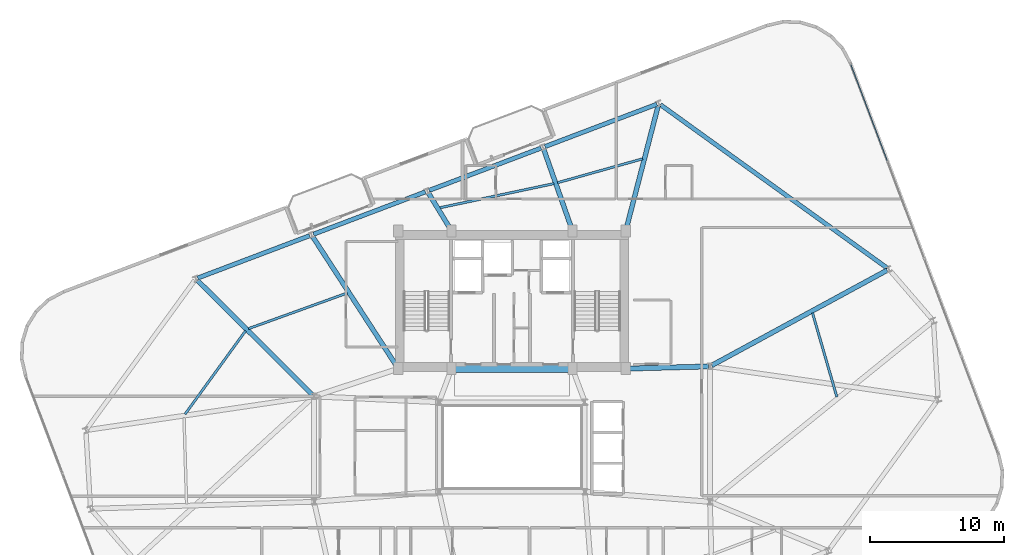
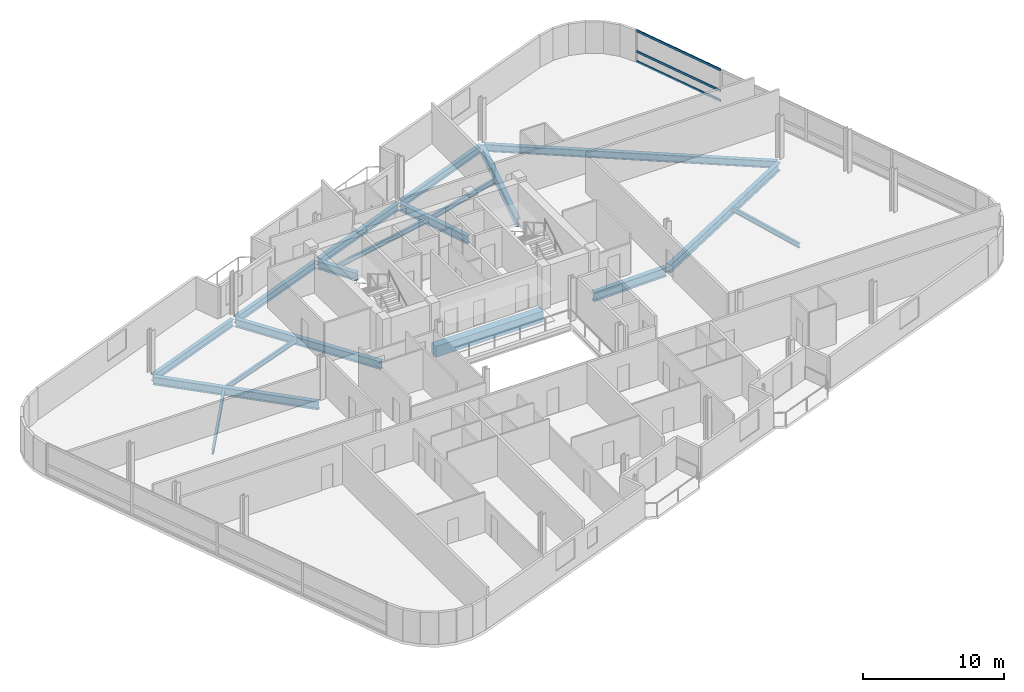
# One storey, part 9 of 20: 18 beams, 3 members, 1 element without a shape of its own.
"""IFC4 building model written with IfcOpenShell, lengths in metres."""

from ifc_helpers import new_model, si_unit, direction, frame, origin, origin_2d, place, context, subcontext, project, spatial, rectangle, hollow_rectangle, i_section, extrude, material, layer, layer_set, material_profile, profile_set, type_object, element, aggregate, save


model = new_model("IFC4")

# Units and contexts
model_context = context("Model", 3, precision=1e-05, world=origin(), true_north=direction((0.0, 1.0)))
body_context = subcontext(model_context, "Body", "Model", "MODEL_VIEW")
ifc_project = project(units=[si_unit("LENGTHUNIT", "METRE"), si_unit("AREAUNIT", "SQUARE_METRE"), si_unit("VOLUMEUNIT", "CUBIC_METRE"), si_unit("PLANEANGLEUNIT", "RADIAN"), si_unit("MASSUNIT", "GRAM", prefix="KILO")], contexts=[model_context])

# Site, building, storey
site_placement = place(None, origin())
site = spatial("IfcSite", under=ifc_project, at=site_placement, CompositionType="ELEMENT")
building_placement = place(site_placement, origin())
building = spatial("IfcBuilding", under=site, at=building_placement, Name="Varnelok Gate Tower", CompositionType="ELEMENT")
storey_placement = place(building_placement, frame((0.0, 0.0, 216.39990234375)))
storey = spatial("IfcBuildingStorey", under=building, at=storey_placement, Name="L55", CompositionType="ELEMENT", Elevation=216.39990234375)

# Beams
ifc_material_1 = material(Name="Structural Steel ASTM A992 Grade 50", Category="steel")
ifc_material_profile_1 = material_profile(ifc_material_1, i_section(OverallWidth=0.180908203125, OverallDepth=0.4169921875, WebThickness=0.010986328125, FlangeThickness=0.018310546875, FilletRadius=0.013916015625, at=origin_2d()), Name="W16X57")
ifc_profile_set_1 = profile_set([ifc_material_profile_1], Name="Structural Steel ASTM A992 Grade 50")
beam_type_1 = type_object("IfcBeamType", Name="BM-JST-W16X57", PredefinedType="JOIST", material=ifc_profile_set_1)
beam_1_placement = place(storey_placement, frame((63.483154296875, 26.640625, -0.45849609375), z_axis=(-0.278450434379, 0.960450600288, 0.0), x_axis=(-0.960450600288, -0.278450434379, 0.0)))
element("IfcBeam", 1, at=beam_1_placement, inside=storey, type_object=beam_type_1, Name="L55 Sector Floor Joist 6", PredefinedType="JOIST", context=body_context, shape_type="SweptSolid", body=[
    extrude(i_section(OverallWidth=0.180908203125, OverallDepth=0.4169921875, WebThickness=0.010986328125, FlangeThickness=0.018310546875, FilletRadius=0.013916015625, at=origin_2d()), origin(), (0.0, 0.0, 1.0), 6.541748046875),
])
beam_2_placement = place(storey_placement, frame((48.9736328125, 44.439697265625, -0.45849609375), z_axis=(-0.962703489882, -0.270558663823, 0.0), x_axis=(0.270558663823, -0.962703489882, 0.0)))
element("IfcBeam", 2, at=beam_2_placement, inside=storey, type_object=beam_type_1, Name="L55 Sector Floor Joist 7", PredefinedType="JOIST", context=body_context, shape_type="SweptSolid", body=[
    extrude(i_section(OverallWidth=0.180908203125, OverallDepth=0.4169921875, WebThickness=0.010986328125, FlangeThickness=0.018310546875, FilletRadius=0.013916015625, at=origin_2d()), origin(), (0.0, 0.0, 1.0), 6.61962890625),
])
beam_3_placement = place(storey_placement, frame((42.3291015625, 42.581787109375, -0.45849609375), z_axis=(-0.97831692742, -0.207113470162, 0.0), x_axis=(0.207113470162, -0.97831692742, 0.0)))
element("IfcBeam", 3, at=beam_3_placement, inside=storey, type_object=beam_type_1, Name="L55 Sector Floor Joist 8", PredefinedType="JOIST", context=body_context, shape_type="SweptSolid", body=[
    extrude(i_section(OverallWidth=0.180908203125, OverallDepth=0.4169921875, WebThickness=0.010986328125, FlangeThickness=0.018310546875, FilletRadius=0.013916015625, at=origin_2d()), origin(), (0.0, 0.0, 1.0), 8.733642578125),
])
beam_4_placement = place(storey_placement, frame((26.873779296875, 34.400634765625, -0.45849609375), z_axis=(-0.940629571246, -0.339434838661, 0.0), x_axis=(0.339434838661, -0.940629571246, 0.0)))
element("IfcBeam", 4, at=beam_4_placement, inside=storey, type_object=beam_type_1, Name="L55 Sector Floor Joist 9", PredefinedType="JOIST", context=body_context, shape_type="SweptSolid", body=[
    extrude(i_section(OverallWidth=0.180908203125, OverallDepth=0.4169921875, WebThickness=0.010986328125, FlangeThickness=0.018310546875, FilletRadius=0.013916015625, at=origin_2d()), origin(), (0.0, 0.0, 1.0), 7.842041015625),
])
beam_5_placement = place(storey_placement, frame((19.283447265625, 31.577880859375, -0.45849609375), z_axis=(-0.587551078191, -0.809187080048, 0.0), x_axis=(0.809187080048, -0.587551078191, 0.0)))
element("IfcBeam", 5, at=beam_5_placement, inside=storey, type_object=beam_type_1, Name="L55 Sector Floor Joist 10", PredefinedType="JOIST", context=body_context, shape_type="SweptSolid", body=[
    extrude(i_section(OverallWidth=0.180908203125, OverallDepth=0.4169921875, WebThickness=0.010986328125, FlangeThickness=0.018310546875, FilletRadius=0.013916015625, at=origin_2d()), origin(), (0.0, 0.0, 1.0), 7.697509765625),
])
ifc_material_2 = material(Name="Concrete C60/75", Category="concrete")
ifc_material_profile_2 = material_profile(ifc_material_2, rectangle(XDim=0.60009765625, YDim=0.949951171875, at=origin_2d()), Name="RC950X600")
ifc_profile_set_2 = profile_set([ifc_material_profile_2], Name="Concrete C60/75")
beam_type_2 = type_object("IfcBeamType", Name="BM-LNT-RC950", PredefinedType="LINTEL", material=ifc_profile_set_2)
beam_6_placement = place(storey_placement, frame((34.800048828125, 28.75, -0.724853515625), z_axis=(1.0, 0.0, 0.0), x_axis=(0.0, 1.0, 0.0)))
element("IfcBeam", 6, at=beam_6_placement, inside=storey, type_object=beam_type_2, Name="L55 Core-Atrium Spine Beam 7", PredefinedType="LINTEL", context=body_context, shape_type="SweptSolid", body=[
    extrude(rectangle(XDim=0.60009765625, YDim=0.949951171875, at=origin_2d()), origin(), (0.0, 0.0, 1.0), 8.800048828125),
])
ifc_material_profile_3 = material_profile(ifc_material_1, i_section(OverallWidth=0.35498046875, OverallDepth=0.696044921875, WebThickness=0.015380859375, FlangeThickness=0.02490234375, FilletRadius=0.02001953125, at=origin_2d()), Name="W27X146")
ifc_profile_set_3 = profile_set([ifc_material_profile_3], Name="Structural Steel ASTM A992 Grade 50")
beam_type_3 = type_object("IfcBeamType", Name="BM-PRI-W27X146", PredefinedType="BEAM", material=ifc_profile_set_3)
beam_7_placement = place(storey_placement, frame((54.1318359375, 28.99169921875, -0.597900390625), z_axis=(0.878855196349, 0.477088612157, 0.0), x_axis=(-0.477088612157, 0.878855196349, 0.0)))
element("IfcBeam", 7, at=beam_7_placement, inside=storey, type_object=beam_type_3, Name="L55 Radial Floor Girder 8", PredefinedType="BEAM", context=body_context, shape_type="SweptSolid", body=[
    extrude(i_section(OverallWidth=0.35498046875, OverallDepth=0.696044921875, WebThickness=0.015380859375, FlangeThickness=0.02490234375, FilletRadius=0.02001953125, at=origin_2d()), origin(), (0.0, 0.0, 1.0), 14.91650390625),
])
beam_8_placement = place(storey_placement, frame((47.73779296875, 39.1953125, -0.597900390625), z_axis=(0.251175366301, 0.967941597083, 0.0), x_axis=(-0.967941597083, 0.251175366301, 0.0)))
element("IfcBeam", 8, at=beam_8_placement, inside=storey, type_object=beam_type_3, Name="L55 Radial Floor Girder 9", PredefinedType="BEAM", context=body_context, shape_type="SweptSolid", body=[
    extrude(i_section(OverallWidth=0.35498046875, OverallDepth=0.696044921875, WebThickness=0.015380859375, FlangeThickness=0.02490234375, FilletRadius=0.02001953125, at=origin_2d()), origin(), (0.0, 0.0, 1.0), 9.537109375),
])
beam_9_placement = place(storey_placement, frame((43.670166015625, 39.19140625, -0.597900390625), z_axis=(-0.332145441042, 0.943228183419, 0.0), x_axis=(-0.943228183419, -0.332145441042, 0.0)))
element("IfcBeam", 9, at=beam_9_placement, inside=storey, type_object=beam_type_3, Name="L55 Radial Floor Girder 10", PredefinedType="BEAM", context=body_context, shape_type="SweptSolid", body=[
    extrude(i_section(OverallWidth=0.35498046875, OverallDepth=0.696044921875, WebThickness=0.015380859375, FlangeThickness=0.02490234375, FilletRadius=0.02001953125, at=origin_2d()), origin(), (0.0, 0.0, 1.0), 6.32275390625),
])
beam_10_placement = place(storey_placement, frame((34.60205078125, 39.177978515625, -0.597900390625), z_axis=(-0.520275699177, 0.853998358808, 0.0), x_axis=(-0.853998358808, -0.520275699177, 0.0)))
element("IfcBeam", 10, at=beam_10_placement, inside=storey, type_object=beam_type_3, Name="L55 Radial Floor Girder 11", PredefinedType="BEAM", context=body_context, shape_type="SweptSolid", body=[
    extrude(i_section(OverallWidth=0.35498046875, OverallDepth=0.696044921875, WebThickness=0.015380859375, FlangeThickness=0.02490234375, FilletRadius=0.02001953125, at=origin_2d()), origin(), (0.0, 0.0, 1.0), 3.18017578125),
])
beam_11_placement = place(storey_placement, frame((30.618408203125, 28.8759765625, -0.597900390625), z_axis=(-0.544016338938, 0.839074623004, 0.0), x_axis=(-0.839074623004, -0.544016338938, 0.0)))
element("IfcBeam", 11, at=beam_11_placement, inside=storey, type_object=beam_type_3, Name="L55 Radial Floor Girder 12", PredefinedType="BEAM", context=body_context, shape_type="SweptSolid", body=[
    extrude(i_section(OverallWidth=0.35498046875, OverallDepth=0.696044921875, WebThickness=0.015380859375, FlangeThickness=0.02490234375, FilletRadius=0.02001953125, at=origin_2d()), origin(), (0.0, 0.0, 1.0), 11.61376953125),
])
beam_12_placement = place(storey_placement, frame((24.293701171875, 26.785888671875, -0.597900390625), z_axis=(-0.708740938647, 0.705468838352, 0.0), x_axis=(-0.705468838352, -0.708740938647, 0.0)))
element("IfcBeam", 12, at=beam_12_placement, inside=storey, type_object=beam_type_3, Name="L55 Radial Floor Girder 13", PredefinedType="BEAM", context=body_context, shape_type="SweptSolid", body=[
    extrude(i_section(OverallWidth=0.35498046875, OverallDepth=0.696044921875, WebThickness=0.015380859375, FlangeThickness=0.02490234375, FilletRadius=0.02001953125, at=origin_2d()), origin(), (0.0, 0.0, 1.0), 12.161865234375),
])
ifc_material_profile_4 = material_profile(ifc_material_1, i_section(OverallWidth=0.381103515625, OverallDepth=0.77294921875, WebThickness=0.0166015625, FlangeThickness=0.027099609375, FilletRadius=0.02197265625, at=origin_2d()), Name="W30X173")
ifc_profile_set_4 = profile_set([ifc_material_profile_4], Name="Structural Steel ASTM A992 Grade 50")
beam_type_4 = type_object("IfcBeamType", Name="BM-PRI-W30X173", PredefinedType="BEAM", material=ifc_profile_set_4)
beam_13_placement = place(storey_placement, frame((47.820068359375, 28.753173828125, -0.636474609375), z_axis=(0.999635880609, 0.026983443053, 0.0), x_axis=(-0.026983443053, 0.999635880609, 0.0)))
element("IfcBeam", 13, at=beam_13_placement, inside=storey, type_object=beam_type_4, Name="L55 Core-Atrium Spine Beam 19", PredefinedType="BEAM", context=body_context, shape_type="SweptSolid", body=[
    extrude(i_section(OverallWidth=0.381103515625, OverallDepth=0.77294921875, WebThickness=0.0166015625, FlangeThickness=0.027099609375, FilletRadius=0.02197265625, at=origin_2d()), origin(), (0.0, 0.0, 1.0), 6.06201171875),
])
ifc_material_profile_5 = material_profile(ifc_material_1, i_section(OverallWidth=0.323974609375, OverallDepth=0.611083984375, WebThickness=0.0126953125, FlangeThickness=0.01904296875, FilletRadius=0.01806640625, at=origin_2d()), Name="W24X104")
ifc_profile_set_5 = profile_set([ifc_material_profile_5], Name="Structural Steel ASTM A992 Grade 50")
beam_type_5 = type_object("IfcBeamType", Name="BM-SPN-W24X104", PredefinedType="SPANDREL", material=ifc_profile_set_5)
beam_14_placement = place(storey_placement, frame((67.251220703125, 36.267333984375, -0.555419921875), z_axis=(-0.811382769408, 0.58451518501, 0.0), x_axis=(-0.58451518501, -0.811382769408, 0.0)))
element("IfcBeam", 14, at=beam_14_placement, inside=storey, type_object=beam_type_5, Name="L55 Perimeter Spandrel Beam 8", PredefinedType="SPANDREL", context=body_context, shape_type="SweptSolid", body=[
    extrude(i_section(OverallWidth=0.323974609375, OverallDepth=0.611083984375, WebThickness=0.0126953125, FlangeThickness=0.01904296875, FilletRadius=0.01806640625, at=origin_2d()), origin(), (0.0, 0.0, 1.0), 20.900634765625),
])
beam_15_placement = place(storey_placement, frame((50.03076171875, 48.518798828125, -0.555419921875), z_axis=(-0.935220356141, -0.354066216208, 0.0), x_axis=(0.354066216208, -0.935220356141, 0.0)))
element("IfcBeam", 15, at=beam_15_placement, inside=storey, type_object=beam_type_5, Name="L55 Perimeter Spandrel Beam 9", PredefinedType="SPANDREL", context=body_context, shape_type="SweptSolid", body=[
    extrude(i_section(OverallWidth=0.323974609375, OverallDepth=0.611083984375, WebThickness=0.0126953125, FlangeThickness=0.01904296875, FilletRadius=0.01806640625, at=origin_2d()), origin(), (0.0, 0.0, 1.0), 8.9501953125),
])
for number, where, z_axis, x_axis, name in (
    (16, (41.3798828125, 45.24365234375, -0.555419921875), (-0.935225969099, -0.354051389947, 0.0), (0.354051389947, -0.935225969099, 0.0), "L55 Perimeter Spandrel Beam 10"),
    (17, (32.72900390625, 41.96875, -0.555419921875), (-0.935216936382, -0.354075248928, 0.0), (0.354075248928, -0.935216936382, 0.0), "L55 Perimeter Spandrel Beam 11"),
):
    element("IfcBeam", number, at=place(storey_placement, frame(where, z_axis=z_axis, x_axis=x_axis)), inside=storey, type_object=beam_type_5, Name=name, PredefinedType="SPANDREL", context=body_context, shape_type="SweptSolid", body=[
        extrude(i_section(OverallWidth=0.323974609375, OverallDepth=0.611083984375, WebThickness=0.0126953125, FlangeThickness=0.01904296875, FilletRadius=0.01806640625, at=origin_2d()), origin(), (0.0, 0.0, 1.0), 8.949951171875),
    ])
beam_16_placement = place(storey_placement, frame((24.078369140625, 38.693603515625, -0.555419921875), z_axis=(-0.935220356141, -0.354066216208, 0.0), x_axis=(0.354066216208, -0.935220356141, 0.0)))
element("IfcBeam", 18, at=beam_16_placement, inside=storey, type_object=beam_type_5, Name="L55 Perimeter Spandrel Beam 12", PredefinedType="SPANDREL", context=body_context, shape_type="SweptSolid", body=[
    extrude(i_section(OverallWidth=0.323974609375, OverallDepth=0.611083984375, WebThickness=0.0126953125, FlangeThickness=0.01904296875, FilletRadius=0.01806640625, at=origin_2d()), origin(), (0.0, 0.0, 1.0), 8.9501953125),
])

# Curtain wall, members
ifc_material_3 = material(Name="Anodized Aluminum Alloy 6063-T6", Category="aluminium")
ifc_layer = layer(ifc_material_3, 0.179931640625)
ifc_layer_set = layer_set([ifc_layer], Name="Anodized Aluminum Alloy 6063-T6")
curtain_wall_type = type_object("IfcCurtainWallType", Name="CW4-RESIDENCE-VISION", PredefinedType="USERDEFINED", material=ifc_layer_set)
curtain_wall_placement = place(storey_placement, origin())
curtain_wall = element("IfcCurtainWall", 19, at=curtain_wall_placement, inside=storey, type_object=curtain_wall_type, Name="L55 East End Vision Curtain Wall", ObjectType="UNITISED CURTAIN WALL", PredefinedType="USERDEFINED")
ifc_material_profile_6 = material_profile(ifc_material_3, hollow_rectangle(XDim=0.074951171875, YDim=0.199951171875, WallThickness=0.00390625, at=origin_2d()), Name="ALU200X75X4")
ifc_profile_set_6 = profile_set([ifc_material_profile_6], Name="Anodized Aluminum Alloy 6063-T6")
member_type = type_object("IfcMemberType", Name="CW-TRAN-200", PredefinedType="USERDEFINED", material=ifc_profile_set_6)
member_1_placement = place(storey_placement, frame((64.528076171875, 51.4892578125, 0.03759765625), z_axis=(0.354073041953, -0.935217771945, 0.0), x_axis=(0.935217771945, 0.354073041953, 0.0)))
member_1 = element("IfcMember", 20, at=member_1_placement, type_object=member_type, Name="CW4 transom 1.1", ObjectType="TRANSOM", PredefinedType="USERDEFINED", context=body_context, shape_type="SweptSolid", body=[
    extrude(hollow_rectangle(XDim=0.074951171875, YDim=0.199951171875, WallThickness=0.00390625, at=origin_2d()), origin(), (0.0, 0.0, 1.0), 7.6875),
])
member_2_placement = place(storey_placement, frame((64.528076171875, 51.4892578125, 0.900146484375), z_axis=(0.354073041953, -0.935217771945, 0.0), x_axis=(0.935217771945, 0.354073041953, 0.0)))
member_2 = element("IfcMember", 21, at=member_2_placement, type_object=member_type, Name="CW4 transom 1.2", ObjectType="TRANSOM", PredefinedType="USERDEFINED", context=body_context, shape_type="SweptSolid", body=[
    extrude(hollow_rectangle(XDim=0.074951171875, YDim=0.199951171875, WallThickness=0.00390625, at=origin_2d()), origin(), (0.0, 0.0, 1.0), 7.6875),
])
member_3_placement = place(storey_placement, frame((64.528076171875, 51.4892578125, 2.692626953125), z_axis=(0.354073041953, -0.935217771945, 0.0), x_axis=(0.935217771945, 0.354073041953, 0.0)))
member_3 = element("IfcMember", 22, at=member_3_placement, type_object=member_type, Name="CW4 transom 1.3", ObjectType="TRANSOM", PredefinedType="USERDEFINED", context=body_context, shape_type="SweptSolid", body=[
    extrude(hollow_rectangle(XDim=0.074951171875, YDim=0.199951171875, WallThickness=0.00390625, at=origin_2d()), origin(), (0.0, 0.0, 1.0), 7.6875),
])
aggregate(curtain_wall, [member_1, member_2, member_3])

save(model, "model.ifc")
